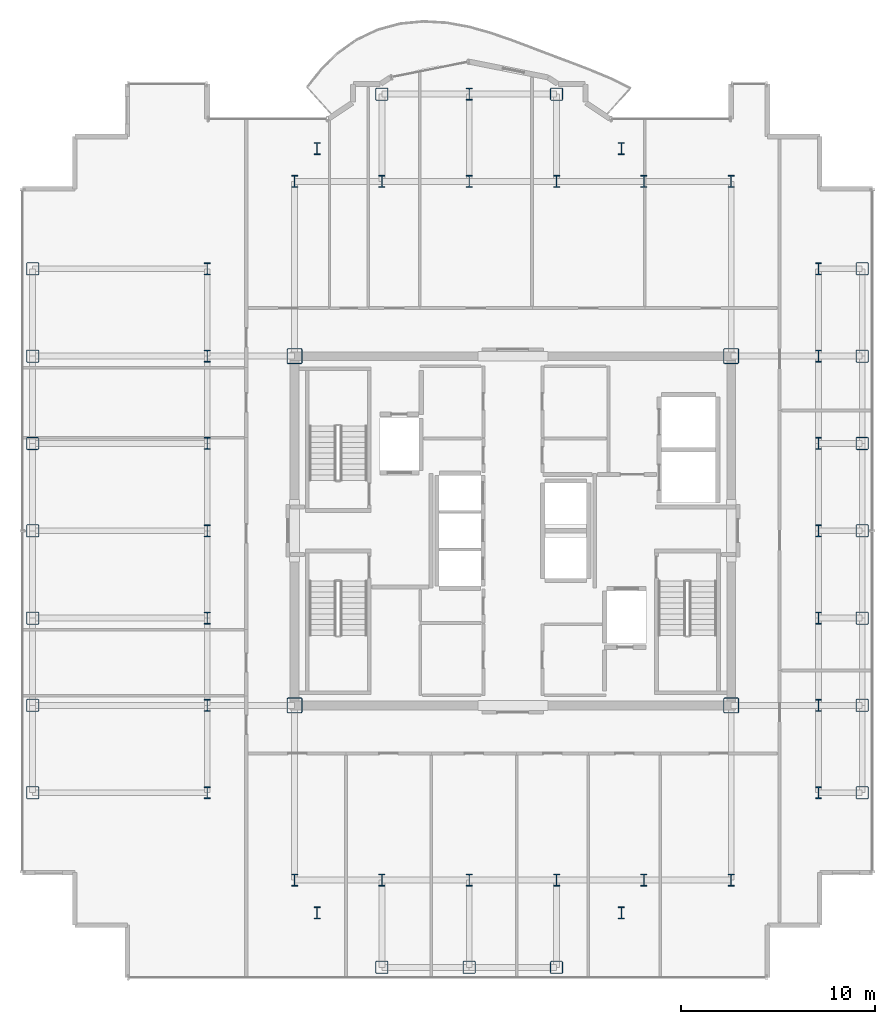
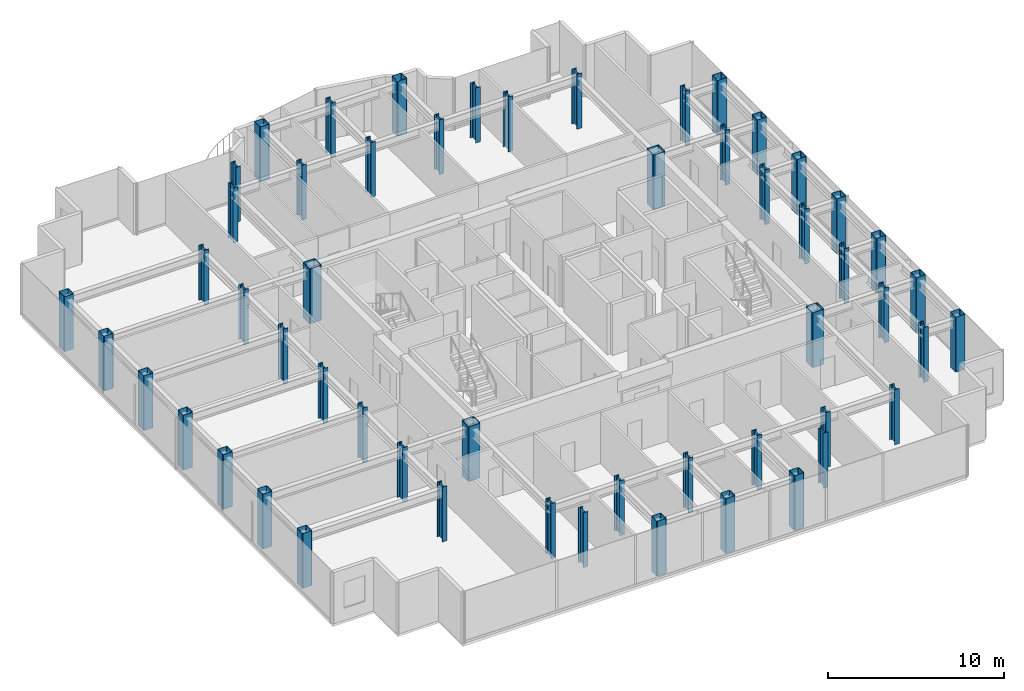
# One storey, part 1 of 18: 54 columns.
"""IFC4 building model written with IfcOpenShell, lengths in metres."""

from ifc_helpers import new_model, si_unit, direction, frame, origin, origin_2d, place, context, subcontext, project, spatial, hollow_rectangle, i_section, extrude, source, transform, mapped, material, material_profile, profile_set, type_object, element, save


model = new_model("IFC4")

# Units and contexts
model_context = context("Model", 3, precision=1e-05, world=origin(), true_north=direction((0.0, 1.0)))
body_context = subcontext(model_context, "Body", "Model", "MODEL_VIEW")
ifc_project = project(units=[si_unit("LENGTHUNIT", "METRE"), si_unit("AREAUNIT", "SQUARE_METRE"), si_unit("VOLUMEUNIT", "CUBIC_METRE"), si_unit("PLANEANGLEUNIT", "RADIAN"), si_unit("MASSUNIT", "GRAM", prefix="KILO")], contexts=[model_context])

# Site, building, storey
site_placement = place(None, origin())
site = spatial("IfcSite", under=ifc_project, at=site_placement, CompositionType="ELEMENT")
building_placement = place(site_placement, origin())
building = spatial("IfcBuilding", under=site, at=building_placement, Name="Nefas-Gora Pilgrimage Tower", CompositionType="ELEMENT")
storey_placement = place(building_placement, frame((0.0, 0.0, 283.60009765625)))
storey = spatial("IfcBuildingStorey", under=building, at=storey_placement, Name="L71", CompositionType="ELEMENT", Elevation=283.60009765625)

# Columns
ifc_material_1 = material(Name="Steel S460", Category="steel")
ifc_material_profile_1 = material_profile(ifc_material_1, hollow_rectangle(XDim=0.800048828125, YDim=0.800048828125, WallThickness=0.0400390625, InnerFilletRadius=0.0400390625, OuterFilletRadius=0.080078125, at=origin_2d()), Name="BOX 800x800x40")
ifc_profile_set_1 = profile_set([ifc_material_profile_1], Name="Steel S460")
column_type_1 = type_object("IfcColumnType", Name="COL-CORE-800", PredefinedType="COLUMN", material=ifc_profile_set_1)
shared_shape_1 = source(origin(), body_context, "Body", "SweptSolid", [
    extrude(hollow_rectangle(XDim=0.800048828125, YDim=0.800048828125, WallThickness=0.0400390625, InnerFilletRadius=0.0400390625, OuterFilletRadius=0.080078125, at=origin_2d()), origin(), (0.0, 0.0, 1.0), 3.7998046875),
])
for number, where, z_axis, x_axis, name in (
    (1, (-11.25, -9.0, 0.0), (0.0, 0.0, 1.0), (1.0, 0.0, 0.0), "L71 Tower Column CC-Z2.16"),
    (2, (-11.25, 9.0, 0.0), (0.0, 0.0, 1.0), (1.0, 0.0, 0.0), "L71 Tower Column CC-Z2.17"),
    (3, (11.25, -9.0, 0.0), (0.0, 0.0, 1.0), (1.0, 0.0, 0.0), "L71 Tower Column CC-Z2.38"),
    (4, (11.25, 9.0, 0.0), (0.0, 0.0, 1.0), (1.0, 0.0, 0.0), "L71 Tower Column CC-Z2.39"),
):
    element("IfcColumn", number, at=place(storey_placement, frame(where, z_axis=z_axis, x_axis=x_axis)), inside=storey, type_object=column_type_1, Name=name, PredefinedType="COLUMN", context=body_context, shape_type="MappedRepresentation", body=[
        mapped(shared_shape_1, transform((0.0, 0.0, 0.0), x_axis=(1.0, 0.0, 0.0), y_axis=(0.0, 1.0, 0.0), z_axis=(0.0, 0.0, 1.0), scale=1.0)),
    ])
ifc_material_profile_2 = material_profile(ifc_material_1, hollow_rectangle(XDim=0.64990234375, YDim=0.64990234375, WallThickness=0.031982421875, InnerFilletRadius=0.031982421875, OuterFilletRadius=0.06396484375, at=origin_2d()), Name="BOX 650x650x32")
ifc_profile_set_2 = profile_set([ifc_material_profile_2], Name="Steel S460")
column_type_2 = type_object("IfcColumnType", Name="COL-TUBE-650", PredefinedType="COLUMN", material=ifc_profile_set_2)
shared_shape_2 = source(origin(), body_context, "Body", "SweptSolid", [
    extrude(hollow_rectangle(XDim=0.64990234375, YDim=0.64990234375, WallThickness=0.031982421875, InnerFilletRadius=0.031982421875, OuterFilletRadius=0.06396484375, at=origin_2d()), origin(), (0.0, 0.0, 1.0), 3.7998046875),
])
for number, where, z_axis, x_axis, name in (
    (5, (-24.75, -13.5, 0.0), (0.0, 0.0, 1.0), (1.0, 0.0, 0.0), "L71 Tower Column C-Z3.1"),
    (6, (-24.75, -9.0, 0.0), (0.0, 0.0, 1.0), (1.0, 0.0, 0.0), "L71 Tower Column C-Z3.2"),
    (7, (-24.75, -4.5, 0.0), (0.0, 0.0, 1.0), (1.0, 0.0, 0.0), "L71 Tower Column C-Z3.3"),
    (8, (-24.75, 0.0, 0.0), (0.0, 0.0, 1.0), (1.0, 0.0, 0.0), "L71 Tower Column C-Z3.4"),
    (9, (-24.75, 4.5, 0.0), (0.0, 0.0, 1.0), (1.0, 0.0, 0.0), "L71 Tower Column C-Z3.5"),
    (10, (-24.75, 9.0, 0.0), (0.0, 0.0, 1.0), (1.0, 0.0, 0.0), "L71 Tower Column C-Z3.6"),
    (11, (-24.75, 13.5, 0.0), (0.0, 0.0, 1.0), (1.0, 0.0, 0.0), "L71 Tower Column C-Z3.7"),
    (12, (-6.75, -22.5, 0.0), (0.0, 0.0, 1.0), (1.0, 0.0, 0.0), "L71 Tower Column C-Z3.21"),
    (13, (-6.75, 22.5, 0.0), (0.0, 0.0, 1.0), (1.0, 0.0, 0.0), "L71 Tower Column C-Z3.24"),
    (14, (-2.25, -22.5, 0.0), (0.0, 0.0, 1.0), (1.0, 0.0, 0.0), "L71 Tower Column C-Z3.25"),
    (15, (2.25, -22.5, 0.0), (0.0, 0.0, 1.0), (1.0, 0.0, 0.0), "L71 Tower Column C-Z3.29"),
    (16, (2.25, 22.5, 0.0), (0.0, 0.0, 1.0), (1.0, 0.0, 0.0), "L71 Tower Column C-Z3.32"),
    (17, (18.0, -13.5, 0.0), (0.0, 0.0, 1.0), (1.0, 0.0, 0.0), "L71 Tower Column C-Z3.48"),
    (18, (18.0, -9.0, 0.0), (0.0, 0.0, 1.0), (1.0, 0.0, 0.0), "L71 Tower Column C-Z3.49"),
    (19, (18.0, -4.5, 0.0), (0.0, 0.0, 1.0), (1.0, 0.0, 0.0), "L71 Tower Column C-Z3.50"),
    (20, (18.0, 0.0, 0.0), (0.0, 0.0, 1.0), (1.0, 0.0, 0.0), "L71 Tower Column C-Z3.51"),
    (21, (18.0, 4.5, 0.0), (0.0, 0.0, 1.0), (1.0, 0.0, 0.0), "L71 Tower Column C-Z3.52"),
    (22, (18.0, 9.0, 0.0), (0.0, 0.0, 1.0), (1.0, 0.0, 0.0), "L71 Tower Column C-Z3.53"),
    (23, (18.0, 13.5, 0.0), (0.0, 0.0, 1.0), (1.0, 0.0, 0.0), "L71 Tower Column C-Z3.54"),
):
    element("IfcColumn", number, at=place(storey_placement, frame(where, z_axis=z_axis, x_axis=x_axis)), inside=storey, type_object=column_type_2, Name=name, PredefinedType="COLUMN", context=body_context, shape_type="MappedRepresentation", body=[
        mapped(shared_shape_2, transform((0.0, 0.0, 0.0), x_axis=(1.0, 0.0, 0.0), y_axis=(0.0, 1.0, 0.0), z_axis=(0.0, 0.0, 1.0), scale=1.0)),
    ])
ifc_material_2 = material(Name="Steel S355", Category="steel")
ifc_material_profile_3 = material_profile(ifc_material_2, i_section(OverallWidth=0.304931640625, OverallDepth=0.6201171875, WebThickness=0.02099609375, FlangeThickness=0.0400390625, FilletRadius=0.027099609375, at=origin_2d()), Name="HEM 600")
ifc_profile_set_3 = profile_set([ifc_material_profile_3], Name="Steel S355")
column_type_3 = type_object("IfcColumnType", Name="COL-WEB-HEM600", PredefinedType="COLUMN", material=ifc_profile_set_3)
shared_shape_3 = source(origin(), body_context, "Body", "SweptSolid", [
    extrude(i_section(OverallWidth=0.304931640625, OverallDepth=0.6201171875, WebThickness=0.02099609375, FlangeThickness=0.0400390625, FilletRadius=0.027099609375, at=origin_2d()), origin(), (0.0, 0.0, 1.0), 3.7998046875),
])
for number, where, z_axis, x_axis, name in (
    (24, (-15.75, -13.5, 0.0), (0.0, 0.0, 1.0), (1.0, 0.0, 0.0), "L71 Tower Column CW-03.8"),
    (25, (-15.75, -9.0, 0.0), (0.0, 0.0, 1.0), (1.0, 0.0, 0.0), "L71 Tower Column CW-03.9"),
    (26, (-15.75, -4.5, 0.0), (0.0, 0.0, 1.0), (1.0, 0.0, 0.0), "L71 Tower Column CW-03.10"),
    (27, (-15.75, 0.0, 0.0), (0.0, 0.0, 1.0), (1.0, 0.0, 0.0), "L71 Tower Column CW-03.11"),
    (28, (-15.75, 4.5, 0.0), (0.0, 0.0, 1.0), (1.0, 0.0, 0.0), "L71 Tower Column CW-03.12"),
    (29, (-15.75, 9.0, 0.0), (0.0, 0.0, 1.0), (1.0, 0.0, 0.0), "L71 Tower Column CW-03.13"),
    (30, (-15.75, 13.5, 0.0), (0.0, 0.0, 1.0), (1.0, 0.0, 0.0), "L71 Tower Column CW-03.14"),
    (31, (-11.25, -18.0, 0.0), (0.0, 0.0, 1.0), (1.0, 0.0, 0.0), "L71 Tower Column CW-03.15"),
    (32, (-11.25, 18.0, 0.0), (0.0, 0.0, 1.0), (1.0, 0.0, 0.0), "L71 Tower Column CW-03.18"),
    (33, (-10.091064453125, -19.696044921875, 0.0), (0.0, 0.0, 1.0), (1.0, 0.0, 0.0), "L71 Tower Column CW-03.19"),
    (34, (-10.091064453125, 19.696044921875, 0.0), (0.0, 0.0, 1.0), (1.0, 0.0, 0.0), "L71 Tower Column CW-03.20"),
    (35, (-6.75, -18.0, 0.0), (0.0, 0.0, 1.0), (1.0, 0.0, 0.0), "L71 Tower Column CW-03.22"),
    (36, (-6.75, 18.0, 0.0), (0.0, 0.0, 1.0), (1.0, 0.0, 0.0), "L71 Tower Column CW-03.23"),
    (37, (-2.25, -18.0, 0.0), (0.0, 0.0, 1.0), (1.0, 0.0, 0.0), "L71 Tower Column CW-03.26"),
    (38, (-2.25, 18.0, 0.0), (0.0, 0.0, 1.0), (1.0, 0.0, 0.0), "L71 Tower Column CW-03.27"),
    (39, (-2.25, 22.5, 0.0), (0.0, 0.0, 1.0), (1.0, 0.0, 0.0), "L71 Tower Column CW-03.28"),
    (40, (2.25, -18.0, 0.0), (0.0, 0.0, 1.0), (1.0, 0.0, 0.0), "L71 Tower Column CW-03.30"),
    (41, (2.25, 18.0, 0.0), (0.0, 0.0, 1.0), (1.0, 0.0, 0.0), "L71 Tower Column CW-03.31"),
    (42, (5.591064453125, -19.696044921875, 0.0), (0.0, 0.0, 1.0), (1.0, 0.0, 0.0), "L71 Tower Column CW-03.33"),
    (43, (5.591064453125, 19.696044921875, 0.0), (0.0, 0.0, 1.0), (1.0, 0.0, 0.0), "L71 Tower Column CW-03.34"),
    (44, (6.75, -18.0, 0.0), (0.0, 0.0, 1.0), (1.0, 0.0, 0.0), "L71 Tower Column CW-03.35"),
    (45, (6.75, 18.0, 0.0), (0.0, 0.0, 1.0), (1.0, 0.0, 0.0), "L71 Tower Column CW-03.36"),
    (46, (11.25, -18.0, 0.0), (0.0, 0.0, 1.0), (1.0, 0.0, 0.0), "L71 Tower Column CW-03.37"),
    (47, (11.25, 18.0, 0.0), (0.0, 0.0, 1.0), (1.0, 0.0, 0.0), "L71 Tower Column CW-03.40"),
    (48, (15.75, -13.5, 0.0), (0.0, 0.0, 1.0), (1.0, 0.0, 0.0), "L71 Tower Column CW-03.41"),
    (49, (15.75, -9.0, 0.0), (0.0, 0.0, 1.0), (1.0, 0.0, 0.0), "L71 Tower Column CW-03.42"),
    (50, (15.75, -4.5, 0.0), (0.0, 0.0, 1.0), (1.0, 0.0, 0.0), "L71 Tower Column CW-03.43"),
    (51, (15.75, 0.0, 0.0), (0.0, 0.0, 1.0), (1.0, 0.0, 0.0), "L71 Tower Column CW-03.44"),
    (52, (15.75, 4.5, 0.0), (0.0, 0.0, 1.0), (1.0, 0.0, 0.0), "L71 Tower Column CW-03.45"),
    (53, (15.75, 9.0, 0.0), (0.0, 0.0, 1.0), (1.0, 0.0, 0.0), "L71 Tower Column CW-03.46"),
    (54, (15.75, 13.5, 0.0), (0.0, 0.0, 1.0), (1.0, 0.0, 0.0), "L71 Tower Column CW-03.47"),
):
    element("IfcColumn", number, at=place(storey_placement, frame(where, z_axis=z_axis, x_axis=x_axis)), inside=storey, type_object=column_type_3, Name=name, PredefinedType="COLUMN", context=body_context, shape_type="MappedRepresentation", body=[
        mapped(shared_shape_3, transform((0.0, 0.0, 0.0), x_axis=(1.0, 0.0, 0.0), y_axis=(0.0, 1.0, 0.0), z_axis=(0.0, 0.0, 1.0), scale=1.0)),
    ])

save(model, "model.ifc")
